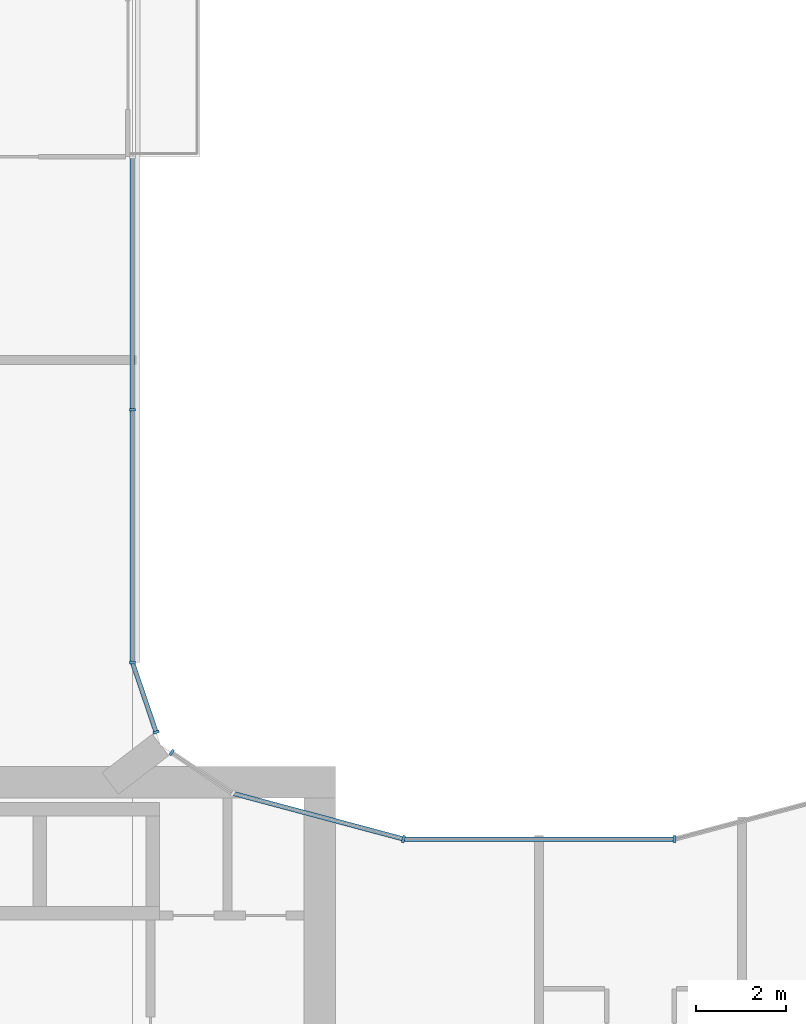
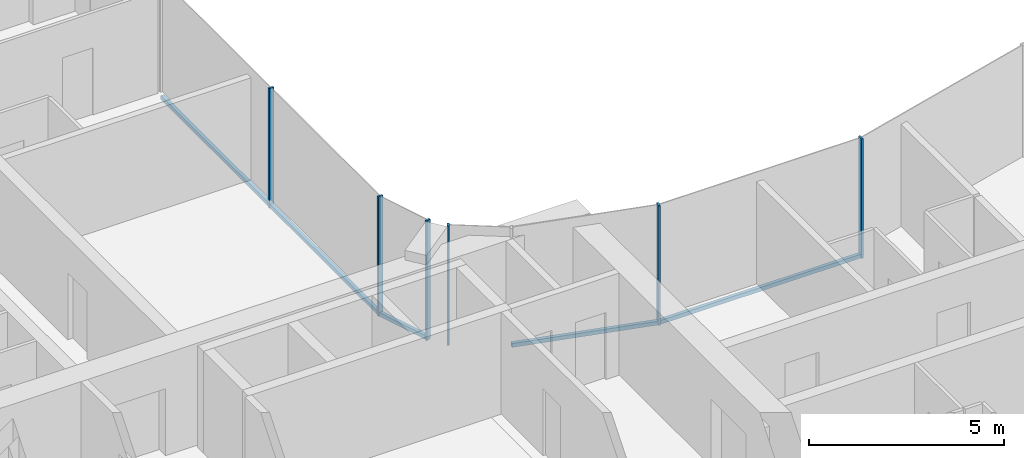
# One storey, part 4 of 22: 10 members, 5 elements without a shape of their own.
"""IFC4 building model written with IfcOpenShell, lengths in metres."""

import ifcopenshell
import ifcopenshell.guid

model = None  # the IFC model being written
_history = None  # IfcOwnerHistory: only IFC2X3 demands one
_inside = {}  # id of a spatial element -> (the spatial element, [elements in it])
_under = {}  # id of a project, library or spatial element -> (it, [spatial elements below it])
_declared = {}  # id of a project -> (the project, [libraries it declares])
_typed = {}  # id of a type object -> (the type object, [elements of that type])
_made_of = {}  # id of a material, layer set ... -> (it, [elements and type objects made of it])


def new_model(schema):
    """Start an empty IFC model of exactly this schema.

    Asked for "IFC4X3", IfcOpenShell would pick the latest addendum, in which some entities
    have other attributes; the version numbers below select the first issue.
    IFC2X3 requires an IfcOwnerHistory on every rooted entity: one is made here for all.
    """
    global model, _history
    if schema == "IFC4X3":
        model = ifcopenshell.file(schema_version=(4, 3, 0, 0))
    else:
        model = ifcopenshell.file(schema=schema)
    _inside.clear()
    _under.clear()
    _declared.clear()
    _typed.clear()
    _made_of.clear()
    _history = None
    if model.schema == "IFC2X3":
        org = make("IfcOrganization", Name="unknown")
        user = make(
            "IfcPersonAndOrganization",
            ThePerson=make("IfcPerson", FamilyName="unknown"),
            TheOrganization=org,
        )
        app = make(
            "IfcApplication",
            ApplicationDeveloper=org,
            Version="unknown",
            ApplicationFullName="unknown",
            ApplicationIdentifier="unknown",
        )
        _history = make(
            "IfcOwnerHistory",
            OwningUser=user,
            OwningApplication=app,
            ChangeAction="ADDED",
            CreationDate=0,
        )
    return model


def make(cls, **values):
    """One entity of the class cls with the attributes given. An attribute that is None is left unset."""
    return model.create_entity(
        cls, **{name: value for name, value in values.items() if value is not None}
    )


def rooted(cls, **values):
    """An entity with a GlobalId (a new one), such as an element, a storey or a relation."""
    return make(cls, GlobalId=ifcopenshell.guid.new(), OwnerHistory=_history, **values)


def si_unit(unit_type, name, prefix=None):
    """IfcSIUnit, for example si_unit("LENGTHUNIT", "METRE", prefix="MILLI")."""
    return make("IfcSIUnit", UnitType=unit_type, Prefix=prefix, Name=name)


def assignment(units):
    """IfcUnitAssignment: the units of a project."""
    return None if units is None else make("IfcUnitAssignment", Units=units)


def point(xyz):
    """IfcCartesianPoint."""
    return None if xyz is None else make("IfcCartesianPoint", Coordinates=xyz)


def direction(xyz):
    """IfcDirection."""
    return None if xyz is None else make("IfcDirection", DirectionRatios=xyz)


def frame(location, z_axis=None, x_axis=None):
    """IfcAxis2Placement3D, a coordinate frame: its origin and axes. An axis left out is left unset."""
    return make(
        "IfcAxis2Placement3D",
        Location=point(location),
        Axis=direction(z_axis),
        RefDirection=direction(x_axis),
    )


def frame_2d(location, x_axis=None):
    """IfcAxis2Placement2D, a coordinate frame in the plane: its origin and x axis."""
    return make(
        "IfcAxis2Placement2D", Location=point(location), RefDirection=direction(x_axis)
    )


def origin():
    """The frame at (0, 0, 0) with its axes left unset."""
    return frame((0.0, 0.0, 0.0))


def origin_2d():
    """The frame at (0, 0) in the plane with its x axis left unset."""
    return frame_2d((0.0, 0.0))


def place(relative_to, where):
    """IfcLocalPlacement: puts the frame where relative to a parent placement (None: the world)."""
    return make(
        "IfcLocalPlacement", PlacementRelTo=relative_to, RelativePlacement=where
    )


def context(
    kind, dimensions, precision=None, world=None, true_north=None, identifier=None
):
    """IfcGeometricRepresentationContext, for example the 3D "Model" context."""
    return make(
        "IfcGeometricRepresentationContext",
        ContextIdentifier=identifier,
        ContextType=kind,
        CoordinateSpaceDimension=dimensions,
        Precision=precision,
        WorldCoordinateSystem=world,
        TrueNorth=true_north,
    )


def subcontext(parent, identifier, kind, view, scale=None):
    """IfcGeometricRepresentationSubContext, for example "Body" below "Model"."""
    return make(
        "IfcGeometricRepresentationSubContext",
        ContextIdentifier=identifier,
        ContextType=kind,
        ParentContext=parent,
        TargetScale=scale,
        TargetView=view,
    )


def project(units=None, contexts=None):
    """IfcProject with its units and contexts."""
    return rooted(
        "IfcProject",
        Name="project",
        RepresentationContexts=contexts,
        UnitsInContext=assignment(units),
    )


def spatial(cls, under=None, at=None, **own):
    """A site, building, storey or space (cls), placed at a placement, below another one or the project."""
    s = rooted(cls, ObjectPlacement=at, **own)
    if under is not None:
        _under.setdefault(under.id(), (under, []))[1].append(s)
    return s


def profile(cls, at=None, kind="AREA", **sizes):
    """A parametric profile (cls). Its sizes go by their IFC names, for example OverallWidth=200.0."""
    return make(cls, ProfileType=kind, Position=at, **sizes)


def rectangle(**sizes):
    """IfcRectangleProfileDef."""
    return profile("IfcRectangleProfileDef", **sizes)


def extrude(swept, where, along, depth):
    """IfcExtrudedAreaSolid: the profile swept, set in the frame where, extruded along a direction by depth."""
    return make(
        "IfcExtrudedAreaSolid",
        SweptArea=swept,
        Position=where,
        ExtrudedDirection=direction(along),
        Depth=depth,
    )


def shape(context_of_items, identifier, shape_type, items):
    """IfcShapeRepresentation: the items that make up one representation, for example the "Body"."""
    return make(
        "IfcShapeRepresentation",
        ContextOfItems=context_of_items,
        RepresentationIdentifier=identifier,
        RepresentationType=shape_type,
        Items=items,
    )


def material(Name=None, Category=None):
    """IfcMaterial."""
    return make("IfcMaterial", Name=Name, Category=Category)


def layer(
    of_material, thickness, ventilated=None, Name=None, Category=None, Priority=None
):
    """IfcMaterialLayer: one layer of a wall or slab, of a material (None: an air gap)."""
    return make(
        "IfcMaterialLayer",
        Material=of_material,
        LayerThickness=thickness,
        IsVentilated=ventilated,
        Name=Name,
        Category=Category,
        Priority=Priority,
    )


def layer_set(layers, Name=None):
    """IfcMaterialLayerSet."""
    return make("IfcMaterialLayerSet", MaterialLayers=layers, LayerSetName=Name)


def material_profile(
    of_material, cross_section, Name=None, Category=None, Priority=None
):
    """IfcMaterialProfile: a cross section and its material."""
    return make(
        "IfcMaterialProfile",
        Name=Name,
        Material=of_material,
        Profile=cross_section,
        Priority=Priority,
        Category=Category,
    )


def profile_set(profiles, Name=None, composite=None):
    """IfcMaterialProfileSet."""
    return make(
        "IfcMaterialProfileSet",
        Name=Name,
        MaterialProfiles=profiles,
        CompositeProfile=composite,
    )


def made_of(thing, what):
    """Note that an element or type object is made of a material, layer set ...; save() writes the relation."""
    if what is not None:
        _made_of.setdefault(what.id(), (what, []))[1].append(thing)
    return thing


def type_object(cls, material=None, **own):
    """A type object (cls), such as IfcWallType, which elements share."""
    return made_of(rooted(cls, **own), material)


def element(
    cls,
    number,
    at=None,
    inside=None,
    cuts=None,
    type_object=None,
    material=None,
    context=None,
    identifier="Body",
    shape_type=None,
    held_by="IfcProductDefinitionShape",
    body=None,
    shapes=None,
    **own,
):
    """One element of the class cls, such as IfcWall. Its Tag is "e" and its number.

    at: its placement. inside: the storey or other place that contains it. cuts: it is an
    opening in that element (IfcRelVoidsElement). A single representation is given by context,
    identifier, shape_type and body (its items); several are given by shapes. held_by: the class
    of the entity that holds the representations. save() writes the other relations.
    """
    e = rooted(cls, Tag="e%d" % number, ObjectPlacement=at, **own)
    if body is not None:
        shapes = [shape(context, identifier, shape_type, body)]
    if shapes is not None:
        e.Representation = make(held_by, Representations=shapes)
    if inside is not None:
        _inside.setdefault(inside.id(), (inside, []))[1].append(e)
    if cuts is not None:
        rooted(
            "IfcRelVoidsElement", RelatingBuildingElement=cuts, RelatedOpeningElement=e
        )
    if type_object is not None:
        _typed.setdefault(type_object.id(), (type_object, []))[1].append(e)
    return made_of(e, material)


def aggregate(whole, parts):
    """IfcRelAggregates: a whole, such as a stair, and the parts it consists of."""
    return rooted("IfcRelAggregates", RelatingObject=whole, RelatedObjects=parts)


def save(model, path):
    """Write the relations noted so far, then the file.

    IfcRelAggregates (storeys below a building ...), IfcRelContainedInSpatialStructure (elements
    in a storey), IfcRelDefinesByType, IfcRelAssociatesMaterial and IfcRelDeclares: one each for
    every whole, place, type object, material and project.
    """
    for whole, parts in _under.values():
        aggregate(whole, parts)
    for where, things in _inside.values():
        rooted(
            "IfcRelContainedInSpatialStructure",
            RelatedElements=things,
            RelatingStructure=where,
        )
    for kind, things in _typed.values():
        rooted("IfcRelDefinesByType", RelatedObjects=things, RelatingType=kind)
    for what, things in _made_of.values():
        rooted("IfcRelAssociatesMaterial", RelatedObjects=things, RelatingMaterial=what)
    for by, libraries in _declared.values():
        rooted("IfcRelDeclares", RelatingContext=by, RelatedDefinitions=libraries)
    model.write(path)


model = new_model("IFC4")

# Units and contexts
model_context = context("Model", 3, precision=1e-05, world=origin(), true_north=direction((0.0, 1.0)))
body_context = subcontext(model_context, "Body", "Model", "MODEL_VIEW")
ifc_project = project(units=[si_unit("LENGTHUNIT", "METRE"), si_unit("AREAUNIT", "SQUARE_METRE"), si_unit("VOLUMEUNIT", "CUBIC_METRE"), si_unit("PLANEANGLEUNIT", "RADIAN"), si_unit("MASSUNIT", "GRAM", prefix="KILO")], contexts=[model_context])

# Site, building, storey
site_placement = place(None, origin())
site = spatial("IfcSite", under=ifc_project, at=site_placement, CompositionType="ELEMENT")
building_placement = place(site_placement, origin())
building = spatial("IfcBuilding", under=site, at=building_placement, Name="Plateau Cross Towers", CompositionType="ELEMENT")
storey_placement = place(building_placement, frame((0.0, 0.0, 68.800048828125)))
storey = spatial("IfcBuildingStorey", under=building, at=storey_placement, Name="L17", CompositionType="ELEMENT", Elevation=68.800048828125)

# Curtain wall, member
ifc_material_1 = material(Name="Dark low-iron glass", Category="glass")
ifc_layer_1 = layer(ifc_material_1, 0.239990234375)
ifc_layer_set_1 = layer_set([ifc_layer_1], Name="Dark low-iron glass")
curtain_wall_type_1 = type_object("IfcCurtainWallType", Name="Curtain wall flush unitised CW-B", PredefinedType="NOTDEFINED", material=ifc_layer_set_1)
curtain_wall_1_placement = place(storey_placement, origin())
curtain_wall_1 = element("IfcCurtainWall", 1, at=curtain_wall_1_placement, inside=storey, type_object=curtain_wall_type_1, Name="ENV/A/L17/A202_174", PredefinedType="NOTDEFINED")
ifc_material_2 = material(Name="Black anodised aluminium", Category="aluminium")
ifc_material_profile_1 = material_profile(ifc_material_2, rectangle(XDim=0.06005859375, YDim=0.139892578125, at=origin_2d()), Name="MULLION 60x140")
ifc_profile_set_1 = profile_set([ifc_material_profile_1], Name="Black anodised aluminium")
member_type_1 = type_object("IfcMemberType", Name="Mullion 60x140 flush unitised", PredefinedType="MULLION", material=ifc_profile_set_1)
member_1_placement = place(storey_placement, frame((18.86962890625, 18.30908203125, -0.25), z_axis=(0.0, 0.0, 1.0), x_axis=(-0.831521253329, 0.555492938984, 0.0)))
member_1 = element("IfcMember", 2, at=member_1_placement, type_object=member_type_1, Name="CW-B mullion 2", PredefinedType="MULLION", context=body_context, shape_type="SweptSolid", body=[
    extrude(rectangle(XDim=0.06005859375, YDim=0.139892578125, at=origin_2d()), origin(), (0.0, 0.0, 1.0), 3.75),
])
aggregate(curtain_wall_1, [member_1])

curtain_wall_2_placement = place(storey_placement, origin())
curtain_wall_2 = element("IfcCurtainWall", 3, at=curtain_wall_2_placement, inside=storey, type_object=curtain_wall_type_1, Name="ENV/A/L17/A185_188", PredefinedType="NOTDEFINED")
member_2_placement = place(storey_placement, frame((18.523681640625, 18.760009765625, -0.25), z_axis=(0.0, 0.0, 1.0), x_axis=(-0.321469161574, 0.94692004845, 0.0)))
member_2 = element("IfcMember", 4, at=member_2_placement, type_object=member_type_1, Name="CW-B mullion 1", PredefinedType="MULLION", context=body_context, shape_type="SweptSolid", body=[
    extrude(rectangle(XDim=0.06005859375, YDim=0.139892578125, at=origin_2d()), origin(), (0.0, 0.0, 1.0), 3.75),
])

# Curtain wall, members
curtain_wall_3_placement = place(storey_placement, origin())
curtain_wall_3 = element("IfcCurtainWall", 5, at=curtain_wall_3_placement, inside=storey, type_object=curtain_wall_type_1, Name="ENV/A/L17/A180_203", PredefinedType="NOTDEFINED")
member_3_placement = place(storey_placement, frame((18.0, 20.30224609375, -0.25), z_axis=(0.0, 0.0, 1.0), x_axis=(0.0, 1.0, 0.0)))
member_3 = element("IfcMember", 6, at=member_3_placement, type_object=member_type_1, Name="CW-B mullion 1", PredefinedType="MULLION", context=body_context, shape_type="SweptSolid", body=[
    extrude(rectangle(XDim=0.06005859375, YDim=0.139892578125, at=origin_2d()), origin(), (0.0, 0.0, 1.0), 3.75),
])
member_4_placement = place(storey_placement, frame((18.0, 25.896240234375, -0.25), z_axis=(0.0, 0.0, 1.0), x_axis=(0.0, 1.0, 0.0)))
member_4 = element("IfcMember", 7, at=member_4_placement, type_object=member_type_1, Name="CW-B mullion 2", PredefinedType="MULLION", context=body_context, shape_type="SweptSolid", body=[
    extrude(rectangle(XDim=0.06005859375, YDim=0.139892578125, at=origin_2d()), origin(), (0.0, 0.0, 1.0), 3.75),
])

# Curtain wall, member
ifc_layer_2 = layer(ifc_material_1, 0.260009765625)
ifc_layer_set_2 = layer_set([ifc_layer_2], Name="Dark low-iron glass")
curtain_wall_type_2 = type_object("IfcCurtainWallType", Name="Curtain wall fluted unitised CW-A", PredefinedType="NOTDEFINED", material=ifc_layer_set_2)
curtain_wall_4_placement = place(storey_placement, origin())
curtain_wall_4 = element("IfcCurtainWall", 8, at=curtain_wall_4_placement, inside=storey, type_object=curtain_wall_type_2, Name="ENV/A/L17/A300_164", PredefinedType="NOTDEFINED")
ifc_material_profile_2 = material_profile(ifc_material_2, rectangle(XDim=0.06005859375, YDim=0.159912109375, at=origin_2d()), Name="MULLION 60x160")
ifc_profile_set_2 = profile_set([ifc_material_profile_2], Name="Black anodised aluminium")
member_type_2 = type_object("IfcMemberType", Name="Mullion 60x160 fluted unitised", PredefinedType="MULLION", material=ifc_profile_set_2)
member_5_placement = place(storey_placement, frame((30.0, 16.39306640625, -0.25), z_axis=(0.0, 0.0, 1.0), x_axis=(-1.0, 0.0, 0.0)))
member_5 = element("IfcMember", 9, at=member_5_placement, type_object=member_type_2, Name="CW-A mullion 1", PredefinedType="MULLION", context=body_context, shape_type="SweptSolid", body=[
    extrude(rectangle(XDim=0.06005859375, YDim=0.159912109375, at=origin_2d()), origin(), (0.0, 0.0, 1.0), 3.75),
])

curtain_wall_5_placement = place(storey_placement, origin())
curtain_wall_5 = element("IfcCurtainWall", 10, at=curtain_wall_5_placement, inside=storey, type_object=curtain_wall_type_2, Name="ENV/A/L17/A240_164", PredefinedType="NOTDEFINED")
member_6_placement = place(storey_placement, frame((24.0, 16.39306640625, -0.25), z_axis=(0.0, 0.0, 1.0), x_axis=(-0.965957995816, 0.258698956933, 0.0)))
member_6 = element("IfcMember", 11, at=member_6_placement, type_object=member_type_2, Name="CW-A mullion 1", PredefinedType="MULLION", context=body_context, shape_type="SweptSolid", body=[
    extrude(rectangle(XDim=0.06005859375, YDim=0.159912109375, at=origin_2d()), origin(), (0.0, 0.0, 1.0), 3.75),
])

# Member
ifc_material_profile_3 = material_profile(ifc_material_2, rectangle(XDim=0.10009765625, YDim=0.1201171875, at=origin_2d()), Name="TRANSOM 100x120")
ifc_profile_set_3 = profile_set([ifc_material_profile_3], Name="Black anodised aluminium")
member_type_3 = type_object("IfcMemberType", Name="Transom 100x120 flush unitised", PredefinedType="USERDEFINED", material=ifc_profile_set_3)
member_7_placement = place(storey_placement, frame((18.523681640625, 18.760009765625, -0.18994140625), z_axis=(-0.321529174838, 0.946899672472, 0.0), x_axis=(-0.946899672472, -0.321529174838, 0.0)))
member_7 = element("IfcMember", 12, at=member_7_placement, type_object=member_type_3, Name="CW-B transom", ObjectType="TRANSOM", PredefinedType="USERDEFINED", context=body_context, shape_type="SweptSolid", body=[
    extrude(rectangle(XDim=0.10009765625, YDim=0.1201171875, at=origin_2d()), origin(), (0.0, 0.0, 1.0), 1.628662109375),
])

aggregate(curtain_wall_2, [member_2, member_7])

member_8_placement = place(storey_placement, frame((18.0, 20.30224609375, -0.18994140625), z_axis=(0.0, 1.0, 0.0), x_axis=(-1.0, 0.0, 0.0)))
member_8 = element("IfcMember", 13, at=member_8_placement, type_object=member_type_3, Name="CW-B transom", ObjectType="TRANSOM", PredefinedType="USERDEFINED", context=body_context, shape_type="SweptSolid", body=[
    extrude(rectangle(XDim=0.10009765625, YDim=0.1201171875, at=origin_2d()), origin(), (0.0, 0.0, 1.0), 11.187744140625),
])

aggregate(curtain_wall_3, [member_3, member_4, member_8])

ifc_material_profile_4 = material_profile(ifc_material_2, rectangle(XDim=0.10009765625, YDim=0.1201171875, at=origin_2d()), Name="TRANSOM 100x120")
ifc_profile_set_4 = profile_set([ifc_material_profile_4], Name="Black anodised aluminium")
member_type_4 = type_object("IfcMemberType", Name="Transom 100x120 fluted unitised", PredefinedType="USERDEFINED", material=ifc_profile_set_4)
member_9_placement = place(storey_placement, frame((30.0, 16.39306640625, -0.18994140625), z_axis=(-1.0, 0.0, 0.0), x_axis=(0.0, -1.0, 0.0)))
member_9 = element("IfcMember", 14, at=member_9_placement, type_object=member_type_4, Name="CW-A transom", ObjectType="TRANSOM", PredefinedType="USERDEFINED", context=body_context, shape_type="SweptSolid", body=[
    extrude(rectangle(XDim=0.10009765625, YDim=0.1201171875, at=origin_2d()), origin(), (0.0, 0.0, 1.0), 6.0),
])

aggregate(curtain_wall_4, [member_5, member_9])

member_10_placement = place(storey_placement, frame((24.0, 16.39306640625, -0.18994140625), z_axis=(-0.965962822393, 0.25868093427, 0.0), x_axis=(-0.25868093427, -0.965962822393, 0.0)))
member_10 = element("IfcMember", 15, at=member_10_placement, type_object=member_type_4, Name="CW-A transom", ObjectType="TRANSOM", PredefinedType="USERDEFINED", context=body_context, shape_type="SweptSolid", body=[
    extrude(rectangle(XDim=0.10009765625, YDim=0.1201171875, at=origin_2d()), origin(), (0.0, 0.0, 1.0), 3.9091796875),
])

aggregate(curtain_wall_5, [member_6, member_10])

save(model, "model.ifc")
